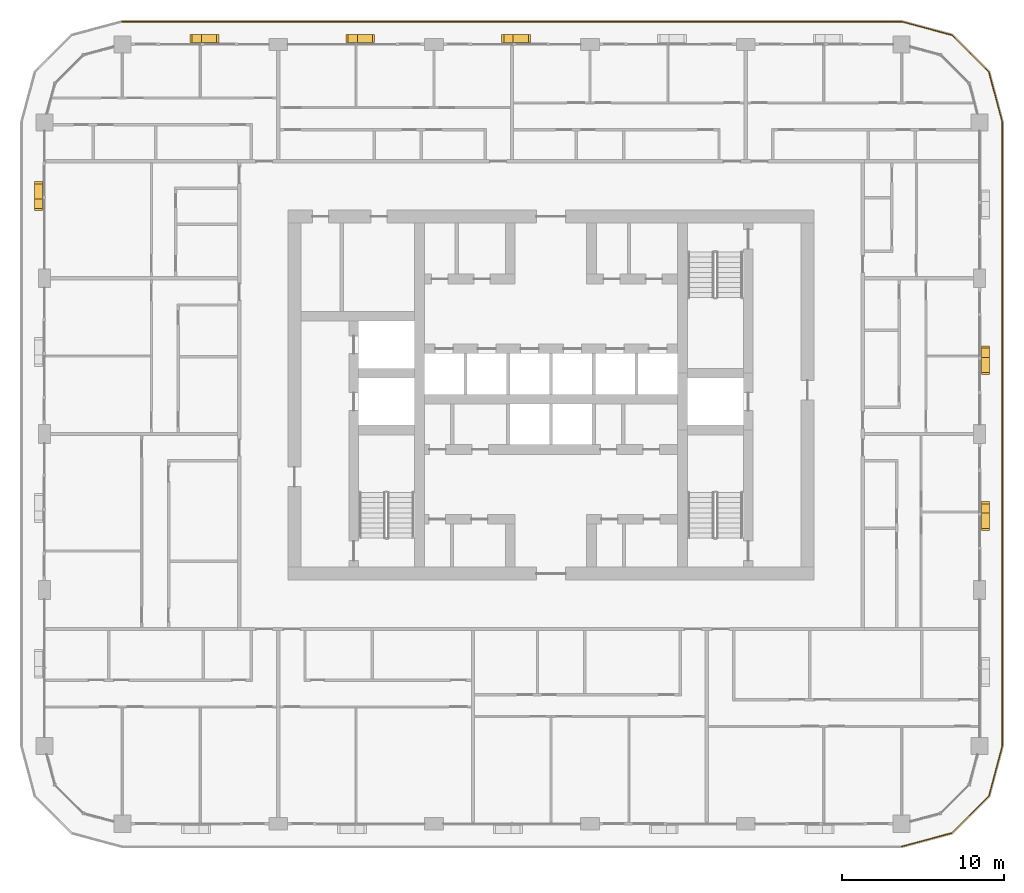
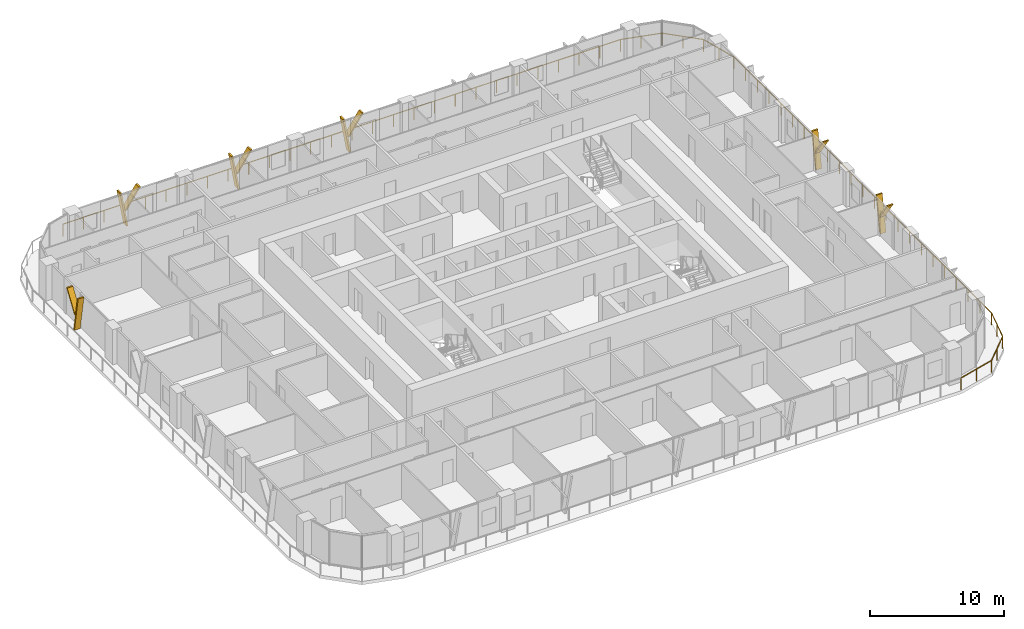
# One storey, part 21 of 22: 12 shading devices, 1 railing.
"""IFC4 building model written with IfcOpenShell, lengths in metres."""

from ifc_helpers import new_model, si_unit, direction, frame, origin, origin_2d, place, context, subcontext, project, spatial, polyline, circle, outline, extrude, material, type_object, element, save


model = new_model("IFC4")

# Units and contexts
model_context = context("Model", 3, precision=1e-05, world=origin(), true_north=direction((0.0, 1.0)))
body_context = subcontext(model_context, "Body", "Model", "MODEL_VIEW")
ifc_project = project(units=[si_unit("LENGTHUNIT", "METRE"), si_unit("AREAUNIT", "SQUARE_METRE"), si_unit("VOLUMEUNIT", "CUBIC_METRE"), si_unit("PLANEANGLEUNIT", "RADIAN"), si_unit("MASSUNIT", "GRAM", prefix="KILO")], contexts=[model_context])

# Site, building, storey
site_placement = place(None, origin())
site = spatial("IfcSite", under=ifc_project, at=site_placement, CompositionType="ELEMENT")
building_placement = place(site_placement, origin())
building = spatial("IfcBuilding", under=site, at=building_placement, Name="Madar Terraces", CompositionType="ELEMENT")
storey_placement = place(building_placement, frame((0.0, 0.0, 156.0)))
storey = spatial("IfcBuildingStorey", under=building, at=storey_placement, Name="L40", CompositionType="ELEMENT", Elevation=156.0)

# Railing
ifc_material_1 = material(Name="Glass, safety glazing, with stainless steel posts", Category="steel")
railing_type = type_object("IfcRailingType", Name="Balcony glass guard 1100", PredefinedType="GUARDRAIL", material=ifc_material_1)
railing_placement = place(storey_placement, frame((52.800048828125, -1.39990234375, 0.0)))
element("IfcRailing", 1, at=railing_placement, inside=storey, type_object=railing_type, Name="Balcony guard", PredefinedType="GUARDRAIL", context=body_context, shape_type="SweptSolid", body=[
    extrude(circle(Radius=0.02392578125, at=origin_2d()), frame((0.0, 0.0, 1.076171875), z_axis=(0.965928696102, 0.258808334578, 0.0), x_axis=(-0.258808334578, 0.965928696102, 0.0)), (0.0, 0.0, 1.0), 3.209228515625),
    extrude(circle(Radius=0.02392578125, at=origin_2d()), frame((3.099853515625, 0.83056640625, 1.076171875), z_axis=(0.707144815061, 0.707068745266, 0.0), x_axis=(-0.707068745266, 0.707144815061, 0.0)), (0.0, 0.0, 1.0), 3.20947265625),
    extrude(circle(Radius=0.02392578125, at=origin_2d()), frame((5.369384765625, 3.099853515625, 1.076171875), z_axis=(0.258789317819, 0.9659337912, 0.0), x_axis=(-0.9659337912, 0.258789317819, 0.0)), (0.0, 0.0, 1.0), 3.20947265625),
    extrude(circle(Radius=0.02392578125, at=origin_2d()), frame((6.199951171875, 6.199951171875, 1.076171875), z_axis=(0.0, 1.0, 0.0), x_axis=(-1.0, 0.0, 0.0)), (0.0, 0.0, 1.0), 38.39990234375),
    extrude(circle(Radius=0.02392578125, at=origin_2d()), frame((6.199951171875, 44.599853515625, 1.076171875), z_axis=(-0.258789317819, 0.9659337912, 0.0), x_axis=(-0.9659337912, -0.258789317819, 0.0)), (0.0, 0.0, 1.0), 3.20947265625),
    extrude(circle(Radius=0.02392578125, at=origin_2d()), frame((5.369384765625, 47.699951171875, 1.076171875), z_axis=(-0.707144815061, 0.707068745266, 0.0), x_axis=(-0.707068745266, -0.707144815061, 0.0)), (0.0, 0.0, 1.0), 3.20947265625),
    extrude(circle(Radius=0.02392578125, at=origin_2d()), frame((3.099853515625, 49.96923828125, 1.076171875), z_axis=(-0.965928696102, 0.258808334578, 0.0), x_axis=(-0.258808334578, -0.965928696102, 0.0)), (0.0, 0.0, 1.0), 3.209228515625),
    extrude(circle(Radius=0.02392578125, at=origin_2d()), frame((0.0, 50.7998046875, 1.076171875), z_axis=(-1.0, 0.0, 0.0), x_axis=(0.0, -1.0, 0.0)), (0.0, 0.0, 1.0), 48.0),
    extrude(circle(Radius=0.02099609375, at=origin_2d()), origin(), (0.0, 0.0, 1.0), 1.052001953125),
    extrude(circle(Radius=0.02099609375, at=origin_2d()), frame((1.5498046875, 0.415283203125, 0.0)), (0.0, 0.0, 1.0), 1.052001953125),
    extrude(circle(Radius=0.02099609375, at=origin_2d()), frame((3.099853515625, 0.83056640625, 0.0)), (0.0, 0.0, 1.0), 1.052001953125),
    extrude(circle(Radius=0.02099609375, at=origin_2d()), frame((4.234619140625, 1.96533203125, 0.0)), (0.0, 0.0, 1.0), 1.052001953125),
    extrude(circle(Radius=0.02099609375, at=origin_2d()), frame((5.369384765625, 3.099853515625, 0.0)), (0.0, 0.0, 1.0), 1.052001953125),
    extrude(circle(Radius=0.02099609375, at=origin_2d()), frame((5.78466796875, 4.64990234375, 0.0)), (0.0, 0.0, 1.0), 1.052001953125),
    extrude(circle(Radius=0.02099609375, at=origin_2d()), frame((6.199951171875, 6.199951171875, 0.0)), (0.0, 0.0, 1.0), 1.052001953125),
    extrude(circle(Radius=0.02099609375, at=origin_2d()), frame((6.199951171875, 7.9453125, 0.0)), (0.0, 0.0, 1.0), 1.052001953125),
    extrude(circle(Radius=0.02099609375, at=origin_2d()), frame((6.199951171875, 9.69091796875, 0.0)), (0.0, 0.0, 1.0), 1.052001953125),
    extrude(circle(Radius=0.02099609375, at=origin_2d()), frame((6.199951171875, 11.436279296875, 0.0)), (0.0, 0.0, 1.0), 1.052001953125),
    extrude(circle(Radius=0.02099609375, at=origin_2d()), frame((6.199951171875, 13.181640625, 0.0)), (0.0, 0.0, 1.0), 1.052001953125),
    extrude(circle(Radius=0.02099609375, at=origin_2d()), frame((6.199951171875, 14.92724609375, 0.0)), (0.0, 0.0, 1.0), 1.052001953125),
    extrude(circle(Radius=0.02099609375, at=origin_2d()), frame((6.199951171875, 16.672607421875, 0.0)), (0.0, 0.0, 1.0), 1.052001953125),
    extrude(circle(Radius=0.02099609375, at=origin_2d()), frame((6.199951171875, 18.418212890625, 0.0)), (0.0, 0.0, 1.0), 1.052001953125),
    extrude(circle(Radius=0.02099609375, at=origin_2d()), frame((6.199951171875, 20.16357421875, 0.0)), (0.0, 0.0, 1.0), 1.052001953125),
    extrude(circle(Radius=0.02099609375, at=origin_2d()), frame((6.199951171875, 21.908935546875, 0.0)), (0.0, 0.0, 1.0), 1.052001953125),
    extrude(circle(Radius=0.02099609375, at=origin_2d()), frame((6.199951171875, 23.654541015625, 0.0)), (0.0, 0.0, 1.0), 1.052001953125),
    extrude(circle(Radius=0.02099609375, at=origin_2d()), frame((6.199951171875, 25.39990234375, 0.0)), (0.0, 0.0, 1.0), 1.052001953125),
    extrude(circle(Radius=0.02099609375, at=origin_2d()), frame((6.199951171875, 27.145263671875, 0.0)), (0.0, 0.0, 1.0), 1.052001953125),
    extrude(circle(Radius=0.02099609375, at=origin_2d()), frame((6.199951171875, 28.890869140625, 0.0)), (0.0, 0.0, 1.0), 1.052001953125),
    extrude(circle(Radius=0.02099609375, at=origin_2d()), frame((6.199951171875, 30.63623046875, 0.0)), (0.0, 0.0, 1.0), 1.052001953125),
    extrude(circle(Radius=0.02099609375, at=origin_2d()), frame((6.199951171875, 32.381591796875, 0.0)), (0.0, 0.0, 1.0), 1.052001953125),
    extrude(circle(Radius=0.02099609375, at=origin_2d()), frame((6.199951171875, 34.127197265625, 0.0)), (0.0, 0.0, 1.0), 1.052001953125),
    extrude(circle(Radius=0.02099609375, at=origin_2d()), frame((6.199951171875, 35.87255859375, 0.0)), (0.0, 0.0, 1.0), 1.052001953125),
    extrude(circle(Radius=0.02099609375, at=origin_2d()), frame((6.199951171875, 37.6181640625, 0.0)), (0.0, 0.0, 1.0), 1.052001953125),
    extrude(circle(Radius=0.02099609375, at=origin_2d()), frame((6.199951171875, 39.363525390625, 0.0)), (0.0, 0.0, 1.0), 1.052001953125),
    extrude(circle(Radius=0.02099609375, at=origin_2d()), frame((6.199951171875, 41.10888671875, 0.0)), (0.0, 0.0, 1.0), 1.052001953125),
    extrude(circle(Radius=0.02099609375, at=origin_2d()), frame((6.199951171875, 42.8544921875, 0.0)), (0.0, 0.0, 1.0), 1.052001953125),
    extrude(circle(Radius=0.02099609375, at=origin_2d()), frame((6.199951171875, 44.599853515625, 0.0)), (0.0, 0.0, 1.0), 1.052001953125),
    extrude(circle(Radius=0.02099609375, at=origin_2d()), frame((5.78466796875, 46.14990234375, 0.0)), (0.0, 0.0, 1.0), 1.052001953125),
    extrude(circle(Radius=0.02099609375, at=origin_2d()), frame((5.369384765625, 47.699951171875, 0.0)), (0.0, 0.0, 1.0), 1.052001953125),
    extrude(circle(Radius=0.02099609375, at=origin_2d()), frame((4.234619140625, 48.83447265625, 0.0)), (0.0, 0.0, 1.0), 1.052001953125),
    extrude(circle(Radius=0.02099609375, at=origin_2d()), frame((3.099853515625, 49.96923828125, 0.0)), (0.0, 0.0, 1.0), 1.052001953125),
    extrude(circle(Radius=0.02099609375, at=origin_2d()), frame((1.5498046875, 50.384521484375, 0.0)), (0.0, 0.0, 1.0), 1.052001953125),
    extrude(circle(Radius=0.02099609375, at=origin_2d()), frame((0.0, 50.7998046875, 0.0)), (0.0, 0.0, 1.0), 1.052001953125),
    extrude(circle(Radius=0.02099609375, at=origin_2d()), frame((-1.77783203125, 50.7998046875, 0.0)), (0.0, 0.0, 1.0), 1.052001953125),
    extrude(circle(Radius=0.02099609375, at=origin_2d()), frame((-3.5556640625, 50.7998046875, 0.0)), (0.0, 0.0, 1.0), 1.052001953125),
    extrude(circle(Radius=0.02099609375, at=origin_2d()), frame((-5.333251953125, 50.7998046875, 0.0)), (0.0, 0.0, 1.0), 1.052001953125),
    extrude(circle(Radius=0.02099609375, at=origin_2d()), frame((-7.111083984375, 50.7998046875, 0.0)), (0.0, 0.0, 1.0), 1.052001953125),
    extrude(circle(Radius=0.02099609375, at=origin_2d()), frame((-8.888916015625, 50.7998046875, 0.0)), (0.0, 0.0, 1.0), 1.052001953125),
    extrude(circle(Radius=0.02099609375, at=origin_2d()), frame((-10.666748046875, 50.7998046875, 0.0)), (0.0, 0.0, 1.0), 1.052001953125),
    extrude(circle(Radius=0.02099609375, at=origin_2d()), frame((-12.4443359375, 50.7998046875, 0.0)), (0.0, 0.0, 1.0), 1.052001953125),
    extrude(circle(Radius=0.02099609375, at=origin_2d()), frame((-14.22216796875, 50.7998046875, 0.0)), (0.0, 0.0, 1.0), 1.052001953125),
    extrude(circle(Radius=0.02099609375, at=origin_2d()), frame((-16.0, 50.7998046875, 0.0)), (0.0, 0.0, 1.0), 1.052001953125),
    extrude(circle(Radius=0.02099609375, at=origin_2d()), frame((-17.77783203125, 50.7998046875, 0.0)), (0.0, 0.0, 1.0), 1.052001953125),
    extrude(circle(Radius=0.02099609375, at=origin_2d()), frame((-19.5556640625, 50.7998046875, 0.0)), (0.0, 0.0, 1.0), 1.052001953125),
    extrude(circle(Radius=0.02099609375, at=origin_2d()), frame((-21.333251953125, 50.7998046875, 0.0)), (0.0, 0.0, 1.0), 1.052001953125),
    extrude(circle(Radius=0.02099609375, at=origin_2d()), frame((-23.111083984375, 50.7998046875, 0.0)), (0.0, 0.0, 1.0), 1.052001953125),
    extrude(circle(Radius=0.02099609375, at=origin_2d()), frame((-24.888916015625, 50.7998046875, 0.0)), (0.0, 0.0, 1.0), 1.052001953125),
    extrude(circle(Radius=0.02099609375, at=origin_2d()), frame((-26.666748046875, 50.7998046875, 0.0)), (0.0, 0.0, 1.0), 1.052001953125),
    extrude(circle(Radius=0.02099609375, at=origin_2d()), frame((-28.4443359375, 50.7998046875, 0.0)), (0.0, 0.0, 1.0), 1.052001953125),
    extrude(circle(Radius=0.02099609375, at=origin_2d()), frame((-30.22216796875, 50.7998046875, 0.0)), (0.0, 0.0, 1.0), 1.052001953125),
    extrude(circle(Radius=0.02099609375, at=origin_2d()), frame((-32.0, 50.7998046875, 0.0)), (0.0, 0.0, 1.0), 1.052001953125),
    extrude(circle(Radius=0.02099609375, at=origin_2d()), frame((-33.77783203125, 50.7998046875, 0.0)), (0.0, 0.0, 1.0), 1.052001953125),
    extrude(circle(Radius=0.02099609375, at=origin_2d()), frame((-35.5556640625, 50.7998046875, 0.0)), (0.0, 0.0, 1.0), 1.052001953125),
    extrude(circle(Radius=0.02099609375, at=origin_2d()), frame((-37.333251953125, 50.7998046875, 0.0)), (0.0, 0.0, 1.0), 1.052001953125),
    extrude(circle(Radius=0.02099609375, at=origin_2d()), frame((-39.111083984375, 50.7998046875, 0.0)), (0.0, 0.0, 1.0), 1.052001953125),
    extrude(circle(Radius=0.02099609375, at=origin_2d()), frame((-40.888916015625, 50.7998046875, 0.0)), (0.0, 0.0, 1.0), 1.052001953125),
    extrude(circle(Radius=0.02099609375, at=origin_2d()), frame((-42.666748046875, 50.7998046875, 0.0)), (0.0, 0.0, 1.0), 1.052001953125),
    extrude(circle(Radius=0.02099609375, at=origin_2d()), frame((-44.4443359375, 50.7998046875, 0.0)), (0.0, 0.0, 1.0), 1.052001953125),
    extrude(circle(Radius=0.02099609375, at=origin_2d()), frame((-46.22216796875, 50.7998046875, 0.0)), (0.0, 0.0, 1.0), 1.052001953125),
    extrude(circle(Radius=0.02099609375, at=origin_2d()), frame((-48.0, 50.7998046875, 0.0)), (0.0, 0.0, 1.0), 1.052001953125),
])

# Shading devices
ifc_material_2 = material(Name="Aluminium, black anodised", Category="aluminium")
shading_device_type = type_object("IfcShadingDeviceType", Name="Facade fin blade 140 x 500", PredefinedType="USERDEFINED", material=ifc_material_2)
shading_device_1_placement = place(storey_placement, frame((57.949951171875, 19.1298828125, 0.0), z_axis=(0.0, 0.0, 1.0), x_axis=(0.0, 1.0, 0.0)))
element("IfcShadingDevice", 2, at=shading_device_1_placement, inside=storey, type_object=shading_device_type, Name="FIN L40 E2", ObjectType="FIN", PredefinedType="USERDEFINED", context=body_context, shape_type="SweptSolid", body=[
    extrude(outline(polyline([(0.0, 0.0), (0.14013671875, 0.0), (0.704345703125, 3.199951171875), (0.564208984375, 3.199951171875), (0.0, 0.0)])), frame((0.0, 0.25, 0.0), z_axis=(0.0, -1.0, 0.0), x_axis=(1.0, 0.0, 0.0)), (0.0, 0.0, 1.0), 0.5),
])
shading_device_2_placement = place(storey_placement, frame((57.949951171875, 19.243896484375, 1.43994140625), z_axis=(0.0, 0.0, 1.0), x_axis=(0.0, 1.0, 0.0)))
element("IfcShadingDevice", 3, at=shading_device_2_placement, inside=storey, type_object=shading_device_type, Name="FIN L40 E2 branch", ObjectType="FIN", PredefinedType="USERDEFINED", context=body_context, shape_type="SweptSolid", body=[
    extrude(outline(polyline([(0.0, 0.0), (0.139892578125, 0.0), (-1.049560546875, 1.760009765625), (-1.189697265625, 1.760009765625), (0.0, 0.0)])), frame((0.0, 0.25, 0.0), z_axis=(0.0, -1.0, 0.0), x_axis=(1.0, 0.0, 0.0)), (0.0, 0.0, 1.0), 0.5),
])
shading_device_3_placement = place(storey_placement, frame((57.949951171875, 28.72998046875, 0.0), z_axis=(0.0, 0.0, 1.0), x_axis=(0.0, 1.0, 0.0)))
element("IfcShadingDevice", 4, at=shading_device_3_placement, inside=storey, type_object=shading_device_type, Name="FIN L40 E3", ObjectType="FIN", PredefinedType="USERDEFINED", context=body_context, shape_type="SweptSolid", body=[
    extrude(outline(polyline([(0.0, 0.0), (0.14013671875, 0.0), (0.704345703125, 3.199951171875), (0.564208984375, 3.199951171875), (0.0, 0.0)])), frame((0.0, 0.25, 0.0), z_axis=(0.0, -1.0, 0.0), x_axis=(1.0, 0.0, 0.0)), (0.0, 0.0, 1.0), 0.5),
])
shading_device_4_placement = place(storey_placement, frame((57.949951171875, 28.843994140625, 1.43994140625), z_axis=(0.0, 0.0, 1.0), x_axis=(0.0, 1.0, 0.0)))
element("IfcShadingDevice", 5, at=shading_device_4_placement, inside=storey, type_object=shading_device_type, Name="FIN L40 E3 branch", ObjectType="FIN", PredefinedType="USERDEFINED", context=body_context, shape_type="SweptSolid", body=[
    extrude(outline(polyline([(0.0, 0.0), (0.139892578125, 0.0), (-1.049560546875, 1.760009765625), (-1.189697265625, 1.760009765625), (0.0, 0.0)])), frame((0.0, 0.25, 0.0), z_axis=(0.0, -1.0, 0.0), x_axis=(1.0, 0.0, 0.0)), (0.0, 0.0, 1.0), 0.5),
])
shading_device_5_placement = place(storey_placement, frame((28.8701171875, 48.35009765625, 0.0), z_axis=(0.0, 0.0, 1.0), x_axis=(-1.0, 0.0, 0.0)))
element("IfcShadingDevice", 6, at=shading_device_5_placement, inside=storey, type_object=shading_device_type, Name="FIN L40 N3", ObjectType="FIN", PredefinedType="USERDEFINED", context=body_context, shape_type="SweptSolid", body=[
    extrude(outline(polyline([(0.0, 0.0), (0.14013671875, 0.0), (0.704345703125, 3.199951171875), (0.564208984375, 3.199951171875), (0.0, 0.0)])), frame((0.0, 0.25, 0.0), z_axis=(0.0, -1.0, 0.0), x_axis=(1.0, 0.0, 0.0)), (0.0, 0.0, 1.0), 0.5),
])
shading_device_6_placement = place(storey_placement, frame((28.756103515625, 48.35009765625, 1.43994140625), z_axis=(0.0, 0.0, 1.0), x_axis=(-1.0, 0.0, 0.0)))
element("IfcShadingDevice", 7, at=shading_device_6_placement, inside=storey, type_object=shading_device_type, Name="FIN L40 N3 branch", ObjectType="FIN", PredefinedType="USERDEFINED", context=body_context, shape_type="SweptSolid", body=[
    extrude(outline(polyline([(0.0, 0.0), (0.139892578125, 0.0), (-1.049560546875, 1.760009765625), (-1.189697265625, 1.760009765625), (0.0, 0.0)])), frame((0.0, 0.25, 0.0), z_axis=(0.0, -1.0, 0.0), x_axis=(1.0, 0.0, 0.0)), (0.0, 0.0, 1.0), 0.5),
])
shading_device_7_placement = place(storey_placement, frame((19.27001953125, 48.35009765625, 0.0), z_axis=(0.0, 0.0, 1.0), x_axis=(-1.0, 0.0, 0.0)))
element("IfcShadingDevice", 8, at=shading_device_7_placement, inside=storey, type_object=shading_device_type, Name="FIN L40 N4", ObjectType="FIN", PredefinedType="USERDEFINED", context=body_context, shape_type="SweptSolid", body=[
    extrude(outline(polyline([(0.0, 0.0), (0.14013671875, 0.0), (0.704345703125, 3.199951171875), (0.564208984375, 3.199951171875), (0.0, 0.0)])), frame((0.0, 0.25, 0.0), z_axis=(0.0, -1.0, 0.0), x_axis=(1.0, 0.0, 0.0)), (0.0, 0.0, 1.0), 0.5),
])
shading_device_8_placement = place(storey_placement, frame((19.156005859375, 48.35009765625, 1.43994140625), z_axis=(0.0, 0.0, 1.0), x_axis=(-1.0, 0.0, 0.0)))
element("IfcShadingDevice", 9, at=shading_device_8_placement, inside=storey, type_object=shading_device_type, Name="FIN L40 N4 branch", ObjectType="FIN", PredefinedType="USERDEFINED", context=body_context, shape_type="SweptSolid", body=[
    extrude(outline(polyline([(0.0, 0.0), (0.139892578125, 0.0), (-1.049560546875, 1.760009765625), (-1.189697265625, 1.760009765625), (0.0, 0.0)])), frame((0.0, 0.25, 0.0), z_axis=(0.0, -1.0, 0.0), x_axis=(1.0, 0.0, 0.0)), (0.0, 0.0, 1.0), 0.5),
])
shading_device_9_placement = place(storey_placement, frame((9.669921875, 48.35009765625, 0.0), z_axis=(0.0, 0.0, 1.0), x_axis=(-1.0, 0.0, 0.0)))
element("IfcShadingDevice", 10, at=shading_device_9_placement, inside=storey, type_object=shading_device_type, Name="FIN L40 N5", ObjectType="FIN", PredefinedType="USERDEFINED", context=body_context, shape_type="SweptSolid", body=[
    extrude(outline(polyline([(0.0, 0.0), (0.139892578125, 0.0), (0.704345703125, 3.199951171875), (0.564208984375, 3.199951171875), (0.0, 0.0)])), frame((0.0, 0.25, 0.0), z_axis=(0.0, -1.0, 0.0), x_axis=(1.0, 0.0, 0.0)), (0.0, 0.0, 1.0), 0.5),
])
shading_device_10_placement = place(storey_placement, frame((9.55615234375, 48.35009765625, 1.43994140625), z_axis=(0.0, 0.0, 1.0), x_axis=(-1.0, 0.0, 0.0)))
element("IfcShadingDevice", 11, at=shading_device_10_placement, inside=storey, type_object=shading_device_type, Name="FIN L40 N5 branch", ObjectType="FIN", PredefinedType="USERDEFINED", context=body_context, shape_type="SweptSolid", body=[
    extrude(outline(polyline([(0.0, 0.0), (0.14013671875, 0.0), (-1.049560546875, 1.760009765625), (-1.189697265625, 1.760009765625), (0.0, 0.0)])), frame((0.0, 0.25, 0.0), z_axis=(0.0, -1.0, 0.0), x_axis=(1.0, 0.0, 0.0)), (0.0, 0.0, 1.0), 0.5),
])
shading_device_11_placement = place(storey_placement, frame((-0.35009765625, 38.469970703125, 0.0), z_axis=(0.0, 0.0, 1.0), x_axis=(0.0, -1.0, 0.0)))
element("IfcShadingDevice", 12, at=shading_device_11_placement, inside=storey, type_object=shading_device_type, Name="FIN L40 W1", ObjectType="FIN", PredefinedType="USERDEFINED", context=body_context, shape_type="SweptSolid", body=[
    extrude(outline(polyline([(0.0, 0.0), (0.139892578125, 0.0), (0.704345703125, 3.199951171875), (0.564208984375, 3.199951171875), (0.0, 0.0)])), frame((0.0, 0.25, 0.0), z_axis=(0.0, -1.0, 0.0), x_axis=(1.0, 0.0, 0.0)), (0.0, 0.0, 1.0), 0.5),
])
shading_device_12_placement = place(storey_placement, frame((-0.35009765625, 38.356201171875, 1.43994140625), z_axis=(0.0, 0.0, 1.0), x_axis=(0.0, -1.0, 0.0)))
element("IfcShadingDevice", 13, at=shading_device_12_placement, inside=storey, type_object=shading_device_type, Name="FIN L40 W1 branch", ObjectType="FIN", PredefinedType="USERDEFINED", context=body_context, shape_type="SweptSolid", body=[
    extrude(outline(polyline([(0.0, 0.0), (0.14013671875, 0.0), (-1.049560546875, 1.760009765625), (-1.189697265625, 1.760009765625), (0.0, 0.0)])), frame((0.0, 0.25, 0.0), z_axis=(0.0, -1.0, 0.0), x_axis=(1.0, 0.0, 0.0)), (0.0, 0.0, 1.0), 0.5),
])

save(model, "model.ifc")
